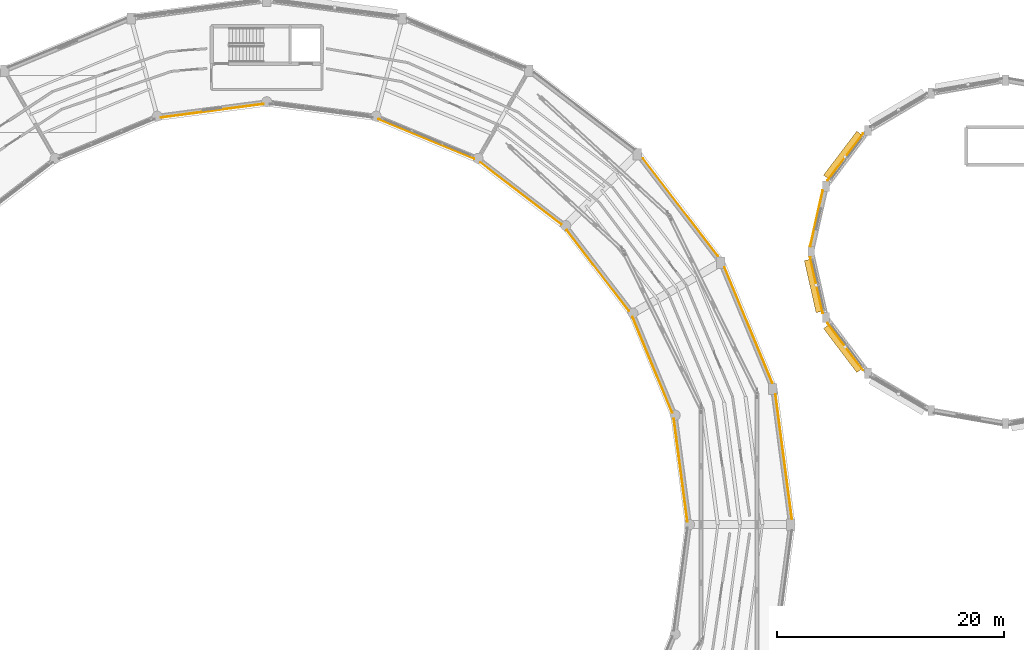
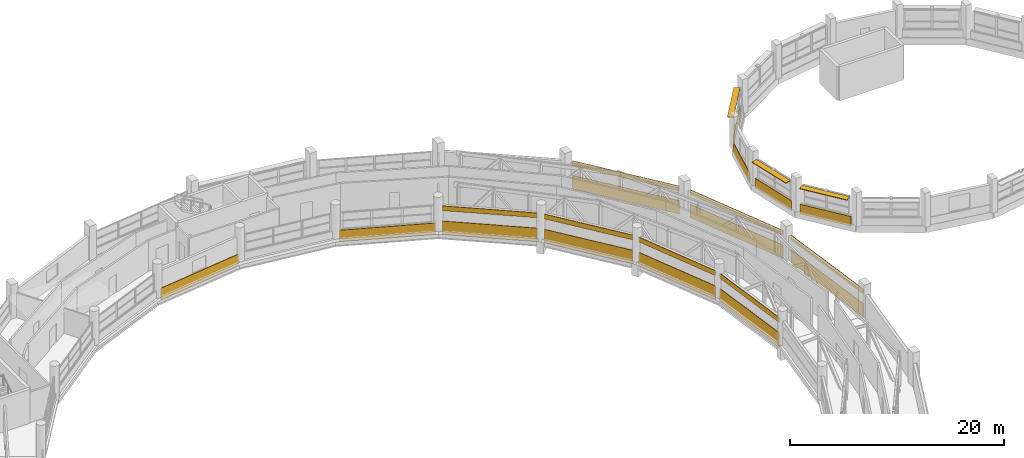
# One storey, part 117 of 121: 20 coverings, 3 shading devices.
"""IFC4 building model written with IfcOpenShell, lengths in metres."""

from ifc_helpers import new_model, si_unit, direction, frame, frame_2d, origin, origin_2d, place, context, subcontext, project, spatial, rectangle, extrude, material, layer, layer_set, type_object, element, save


model = new_model("IFC4")

# Units and contexts
model_context = context("Model", 3, precision=1e-05, world=origin(), true_north=direction((0.0, 1.0)))
body_context = subcontext(model_context, "Body", "Model", "MODEL_VIEW")
ifc_project = project(units=[si_unit("LENGTHUNIT", "METRE"), si_unit("AREAUNIT", "SQUARE_METRE"), si_unit("VOLUMEUNIT", "CUBIC_METRE"), si_unit("PLANEANGLEUNIT", "RADIAN"), si_unit("MASSUNIT", "GRAM", prefix="KILO")], contexts=[model_context])

# Site, building, storey
site_placement = place(None, origin())
site = spatial("IfcSite", under=ifc_project, at=site_placement, CompositionType="ELEMENT")
building_placement = place(site_placement, origin())
building = spatial("IfcBuilding", under=site, at=building_placement, Name="Vespera Passage Community Centre", CompositionType="ELEMENT")
storey_placement = place(building_placement, frame((0.0, 0.0, 8.699951171875)))
storey = spatial("IfcBuildingStorey", under=building, at=storey_placement, Name="L02", CompositionType="ELEMENT", Elevation=8.699951171875)

# Coverings
ifc_material_1 = material(Name="Precast concrete f'c 40 MPa", Category="concrete")
ifc_layer = layer(ifc_material_1, 0.06005859375)
ifc_layer_set = layer_set([ifc_layer], Name="Precast concrete f'c 40 MPa")
covering_type = type_object("IfcCoveringType", Name="COV-CLAD-60E", PredefinedType="CLADDING", material=ifc_layer_set)
covering_1_placement = place(storey_placement, frame((122.76025390625, 76.978515625, -0.47998046875), z_axis=(0.0, 0.0, 1.0), x_axis=(0.130513242145, -0.991446566197, 0.0)))
element("IfcCovering", 1, at=covering_1_placement, inside=storey, type_object=covering_type, Name="V4 L02 Outer Truss Spandrel Band O0", PredefinedType="CLADDING", context=body_context, shape_type="SweptSolid", body=[
    extrude(rectangle(XDim=11.075927734375, YDim=0.06005859375, at=frame_2d((5.5380859375, 0.0))), origin(), (0.0, 0.0, 1.0), 1.530029296875),
])
covering_2_placement = place(storey_placement, frame((122.76025390625, 76.978515625, 2.15576171875), z_axis=(0.0, 0.0, 1.0), x_axis=(0.130513242145, -0.991446566197, 0.0)))
element("IfcCovering", 2, at=covering_2_placement, inside=storey, type_object=covering_type, Name="V4 L02 Outer Truss Frieze Band O0", PredefinedType="CLADDING", context=body_context, shape_type="SweptSolid", body=[
    extrude(rectangle(XDim=11.075927734375, YDim=0.06005859375, at=frame_2d((5.5380859375, 0.0))), origin(), (0.0, 0.0, 1.0), 0.5498046875),
])
covering_3_placement = place(storey_placement, frame((115.010009765625, 65.7548828125, -0.47998046875), z_axis=(0.0, 0.0, 1.0), x_axis=(-0.13052003772, 0.99144567161, 0.0)))
element("IfcCovering", 3, at=covering_3_placement, inside=storey, type_object=covering_type, Name="V4 L02 Court Truss Spandrel Band I0", PredefinedType="CLADDING", context=body_context, shape_type="SweptSolid", body=[
    extrude(rectangle(XDim=9.15625, YDim=0.06005859375, at=frame_2d((4.578125, 0.0))), origin(), (0.0, 0.0, 1.0), 1.530029296875),
])
covering_4_placement = place(storey_placement, frame((115.010009765625, 65.7548828125, 2.239501953125), z_axis=(0.0, 0.0, 1.0), x_axis=(-0.13052003772, 0.99144567161, 0.0)))
element("IfcCovering", 4, at=covering_4_placement, inside=storey, type_object=covering_type, Name="V4 L02 Court Truss Frieze Band I0", PredefinedType="CLADDING", context=body_context, shape_type="SweptSolid", body=[
    extrude(rectangle(XDim=9.15625, YDim=0.06005859375, at=frame_2d((4.578125, 0.0))), origin(), (0.0, 0.0, 1.0), 0.550048828125),
])
covering_5_placement = place(storey_placement, frame((118.2783203125, 88.13818359375, -0.47998046875), z_axis=(0.0, 0.0, 1.0), x_axis=(0.382695413149, -0.923874569817, 0.0)))
element("IfcCovering", 5, at=covering_5_placement, inside=storey, type_object=covering_type, Name="V4 L02 Outer Truss Spandrel Band O1", PredefinedType="CLADDING", context=body_context, shape_type="SweptSolid", body=[
    extrude(rectangle(XDim=11.002197265625, YDim=0.06005859375, at=frame_2d((5.5009765625, 0.0))), origin(), (0.0, 0.0, 1.0), 1.530029296875),
])
covering_6_placement = place(storey_placement, frame((118.2783203125, 88.13818359375, 2.15576171875), z_axis=(0.0, 0.0, 1.0), x_axis=(0.382695413149, -0.923874569817, 0.0)))
element("IfcCovering", 6, at=covering_6_placement, inside=storey, type_object=covering_type, Name="V4 L02 Outer Truss Frieze Band O1", PredefinedType="CLADDING", context=body_context, shape_type="SweptSolid", body=[
    extrude(rectangle(XDim=11.002197265625, YDim=0.06005859375, at=frame_2d((5.5009765625, 0.0))), origin(), (0.0, 0.0, 1.0), 0.5498046875),
])
covering_7_placement = place(storey_placement, frame((113.674560546875, 75.345703125, -0.47998046875), z_axis=(0.0, 0.0, 1.0), x_axis=(-0.38269491658, 0.92387477551, 0.0)))
element("IfcCovering", 7, at=covering_7_placement, inside=storey, type_object=covering_type, Name="V4 L02 Court Truss Spandrel Band I1", PredefinedType="CLADDING", context=body_context, shape_type="SweptSolid", body=[
    extrude(rectangle(XDim=9.11181640625, YDim=0.06005859375, at=frame_2d((4.555908203125, 0.0))), origin(), (0.0, 0.0, 1.0), 1.530029296875),
])
covering_8_placement = place(storey_placement, frame((113.674560546875, 75.345703125, 2.239501953125), z_axis=(0.0, 0.0, 1.0), x_axis=(-0.38269491658, 0.92387477551, 0.0)))
element("IfcCovering", 8, at=covering_8_placement, inside=storey, type_object=covering_type, Name="V4 L02 Court Truss Frieze Band I1", PredefinedType="CLADDING", context=body_context, shape_type="SweptSolid", body=[
    extrude(rectangle(XDim=9.11181640625, YDim=0.06005859375, at=frame_2d((4.555908203125, 0.0))), origin(), (0.0, 0.0, 1.0), 0.550048828125),
])
covering_9_placement = place(storey_placement, frame((111.09228515625, 97.732177734375, -0.47998046875), z_axis=(0.0, 0.0, 1.0), x_axis=(0.608767750285, -0.793348489765, 0.0)))
element("IfcCovering", 9, at=covering_9_placement, inside=storey, type_object=covering_type, Name="V4 L02 Outer Truss Spandrel Band O2", PredefinedType="CLADDING", context=body_context, shape_type="SweptSolid", body=[
    extrude(rectangle(XDim=10.8525390625, YDim=0.06005859375, at=frame_2d((5.42626953125, 0.0))), origin(), (0.0, 0.0, 1.0), 1.530029296875),
])
covering_10_placement = place(storey_placement, frame((111.09228515625, 97.732177734375, 2.15576171875), z_axis=(0.0, 0.0, 1.0), x_axis=(0.608767750285, -0.793348489765, 0.0)))
element("IfcCovering", 10, at=covering_10_placement, inside=storey, type_object=covering_type, Name="V4 L02 Outer Truss Frieze Band O2", PredefinedType="CLADDING", context=body_context, shape_type="SweptSolid", body=[
    extrude(rectangle(XDim=10.8525390625, YDim=0.06005859375, at=frame_2d((5.42626953125, 0.0))), origin(), (0.0, 0.0, 1.0), 0.5498046875),
])
covering_11_placement = place(storey_placement, frame((109.878173828125, 84.285888671875, -0.47998046875), z_axis=(0.0, 0.0, 1.0), x_axis=(-0.608765610033, 0.793350132061, 0.0)))
element("IfcCovering", 11, at=covering_11_placement, inside=storey, type_object=covering_type, Name="V4 L02 Court Truss Spandrel Band I2", PredefinedType="CLADDING", context=body_context, shape_type="SweptSolid", body=[
    extrude(rectangle(XDim=9.004638671875, YDim=0.06005859375, at=frame_2d((4.50244140625, 0.0))), origin(), (0.0, 0.0, 1.0), 1.530029296875),
])
covering_12_placement = place(storey_placement, frame((109.878173828125, 84.285888671875, 2.239501953125), z_axis=(0.0, 0.0, 1.0), x_axis=(-0.608765610033, 0.793350132061, 0.0)))
element("IfcCovering", 12, at=covering_12_placement, inside=storey, type_object=covering_type, Name="V4 L02 Court Truss Frieze Band I2", PredefinedType="CLADDING", context=body_context, shape_type="SweptSolid", body=[
    extrude(rectangle(XDim=9.004638671875, YDim=0.06005859375, at=frame_2d((4.50244140625, 0.0))), origin(), (0.0, 0.0, 1.0), 0.550048828125),
])
covering_13_placement = place(storey_placement, frame((103.9296875, 91.896484375, -0.47998046875), z_axis=(0.0, 0.0, 1.0), x_axis=(-0.793350132061, 0.608765610033, 0.0)))
element("IfcCovering", 13, at=covering_13_placement, inside=storey, type_object=covering_type, Name="V4 L02 Court Truss Spandrel Band I3", PredefinedType="CLADDING", context=body_context, shape_type="SweptSolid", body=[
    extrude(rectangle(XDim=9.004638671875, YDim=0.06005859375, at=frame_2d((4.50244140625, 0.0))), origin(), (0.0, 0.0, 1.0), 1.530029296875),
])
covering_14_placement = place(storey_placement, frame((103.9296875, 91.896484375, 2.239501953125), z_axis=(0.0, 0.0, 1.0), x_axis=(-0.793350132061, 0.608765610033, 0.0)))
element("IfcCovering", 14, at=covering_14_placement, inside=storey, type_object=covering_type, Name="V4 L02 Court Truss Frieze Band I3", PredefinedType="CLADDING", context=body_context, shape_type="SweptSolid", body=[
    extrude(rectangle(XDim=9.004638671875, YDim=0.06005859375, at=frame_2d((4.50244140625, 0.0))), origin(), (0.0, 0.0, 1.0), 0.550048828125),
])
covering_15_placement = place(storey_placement, frame((96.263916015625, 97.6875, -0.47998046875), z_axis=(0.0, 0.0, 1.0), x_axis=(-0.92387477551, 0.38269491658, 0.0)))
element("IfcCovering", 15, at=covering_15_placement, inside=storey, type_object=covering_type, Name="V4 L02 Inner Court White Spandrel Band I4", PredefinedType="CLADDING", context=body_context, shape_type="SweptSolid", body=[
    extrude(rectangle(XDim=9.11181640625, YDim=0.06005859375, at=frame_2d((4.555908203125, 0.0))), origin(), (0.0, 0.0, 1.0), 1.300048828125),
])
covering_16_placement = place(storey_placement, frame((77.7451171875, 102.510009765625, -0.47998046875), z_axis=(0.0, 0.0, 1.0), x_axis=(-0.99144567161, -0.13052003772, 0.0)))
element("IfcCovering", 16, at=covering_16_placement, inside=storey, type_object=covering_type, Name="V4 L02 Court White Sill Band I6", PredefinedType="CLADDING", context=body_context, shape_type="SweptSolid", body=[
    extrude(rectangle(XDim=9.15625, YDim=0.06005859375, at=frame_2d((4.578125, 0.0))), origin(), (0.0, 0.0, 1.0), 1.300048828125),
])
covering_17_placement = place(storey_placement, frame((127.335205078125, 95.76953125, -0.260009765625), z_axis=(0.0, 0.0, 1.0), x_axis=(0.603398282319, 0.797439974477, 0.0)))
element("IfcCovering", 17, at=covering_17_placement, inside=storey, type_object=covering_type, Name="V2 L02 White Spandrel Band 7", PredefinedType="CLADDING", context=body_context, shape_type="SweptSolid", body=[
    extrude(rectangle(XDim=5.19873046875, YDim=0.06005859375, at=frame_2d((2.599365234375, 0.0))), origin(), (0.0, 0.0, 1.0), 1.110107421875),
])
for number, where, z_axis, x_axis, name in (
    (18, (125.810546875, 89.96728515625, -0.260009765625), (0.0, 0.0, 1.0), (0.219734171438, 0.975559784894, 0.0), "V2 L02 White Sill Band 8"),
    (19, (126.92041015625, 84.105224609375, -0.260009765625), (0.0, 0.0, 1.0), (-0.219734171438, 0.975559784894, 0.0), "V2 L02 White Spandrel Band 9"),
):
    element("IfcCovering", number, at=place(storey_placement, frame(where, z_axis=z_axis, x_axis=x_axis)), inside=storey, type_object=covering_type, Name=name, PredefinedType="CLADDING", context=body_context, shape_type="SweptSolid", body=[
        extrude(rectangle(XDim=5.051025390625, YDim=0.06005859375, at=frame_2d((2.525390625, 0.0))), origin(), (0.0, 0.0, 1.0), 1.110107421875),
    ])
covering_18_placement = place(storey_placement, frame((130.47216796875, 79.084716796875, -0.260009765625), z_axis=(0.0, 0.0, 1.0), x_axis=(-0.603398282319, 0.797439974477, 0.0)))
element("IfcCovering", 20, at=covering_18_placement, inside=storey, type_object=covering_type, Name="V2 L02 White Spandrel Band 10", PredefinedType="CLADDING", context=body_context, shape_type="SweptSolid", body=[
    extrude(rectangle(XDim=5.19873046875, YDim=0.06005859375, at=frame_2d((2.599365234375, 0.0))), origin(), (0.0, 0.0, 1.0), 1.110107421875),
])

# Shading devices
ifc_material_2 = material(Name="Anodized aluminium 6063-T6", Category="aluminium")
shading_device_type = type_object("IfcShadingDeviceType", Name="SHD-EYEBROW", PredefinedType="JALOUSIE", material=ifc_material_2)
shading_device_1_placement = place(storey_placement, frame((128.688232421875, 98.005615234375, 2.97509765625), z_axis=(0.0, 0.0, 1.0), x_axis=(0.603402856255, 0.7974365135, 0.0)))
element("IfcShadingDevice", 21, at=shading_device_1_placement, inside=storey, type_object=shading_device_type, Name="V2 L02 Solar Eyebrow 7", PredefinedType="JALOUSIE", context=body_context, shape_type="SweptSolid", body=[
    extrude(rectangle(XDim=4.848876953125, YDim=0.60009765625, at=origin_2d()), origin(), (0.0, 0.0, 1.0), 0.080078125),
])
shading_device_2_placement = place(storey_placement, frame((126.10205078125, 86.509765625, 2.97509765625), z_axis=(0.0, 0.0, 1.0), x_axis=(-0.219744045409, 0.975557560838, 0.0)))
element("IfcShadingDevice", 22, at=shading_device_2_placement, inside=storey, type_object=shading_device_type, Name="V2 L02 Solar Eyebrow 9", PredefinedType="JALOUSIE", context=body_context, shape_type="SweptSolid", body=[
    extrude(rectangle(XDim=4.70068359375, YDim=0.60009765625, at=origin_2d()), origin(), (0.0, 0.0, 1.0), 0.080078125),
])
shading_device_3_placement = place(storey_placement, frame((128.688232421875, 80.994384765625, 2.97509765625), z_axis=(0.0, 0.0, 1.0), x_axis=(-0.603402856255, 0.7974365135, 0.0)))
element("IfcShadingDevice", 23, at=shading_device_3_placement, inside=storey, type_object=shading_device_type, Name="V2 L02 Solar Eyebrow 10", PredefinedType="JALOUSIE", context=body_context, shape_type="SweptSolid", body=[
    extrude(rectangle(XDim=4.848876953125, YDim=0.60009765625, at=origin_2d()), origin(), (0.0, 0.0, 1.0), 0.080078125),
])

save(model, "model.ifc")
